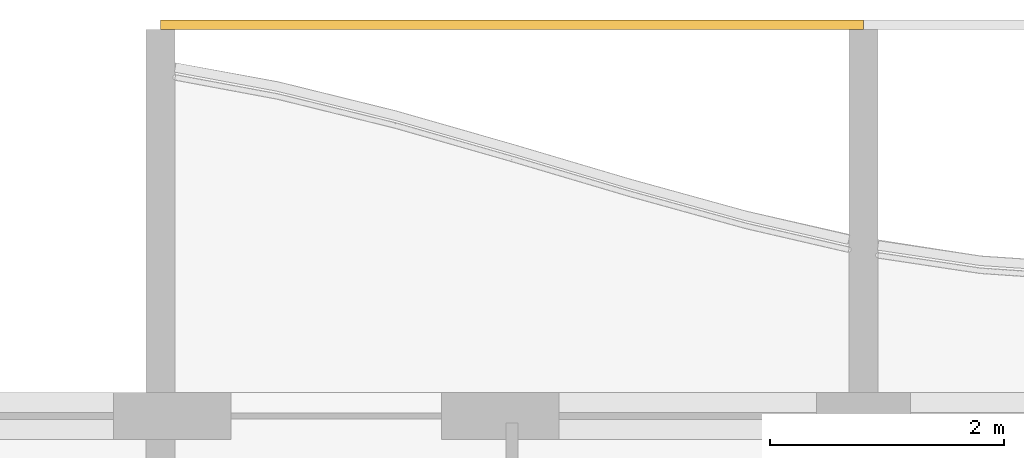
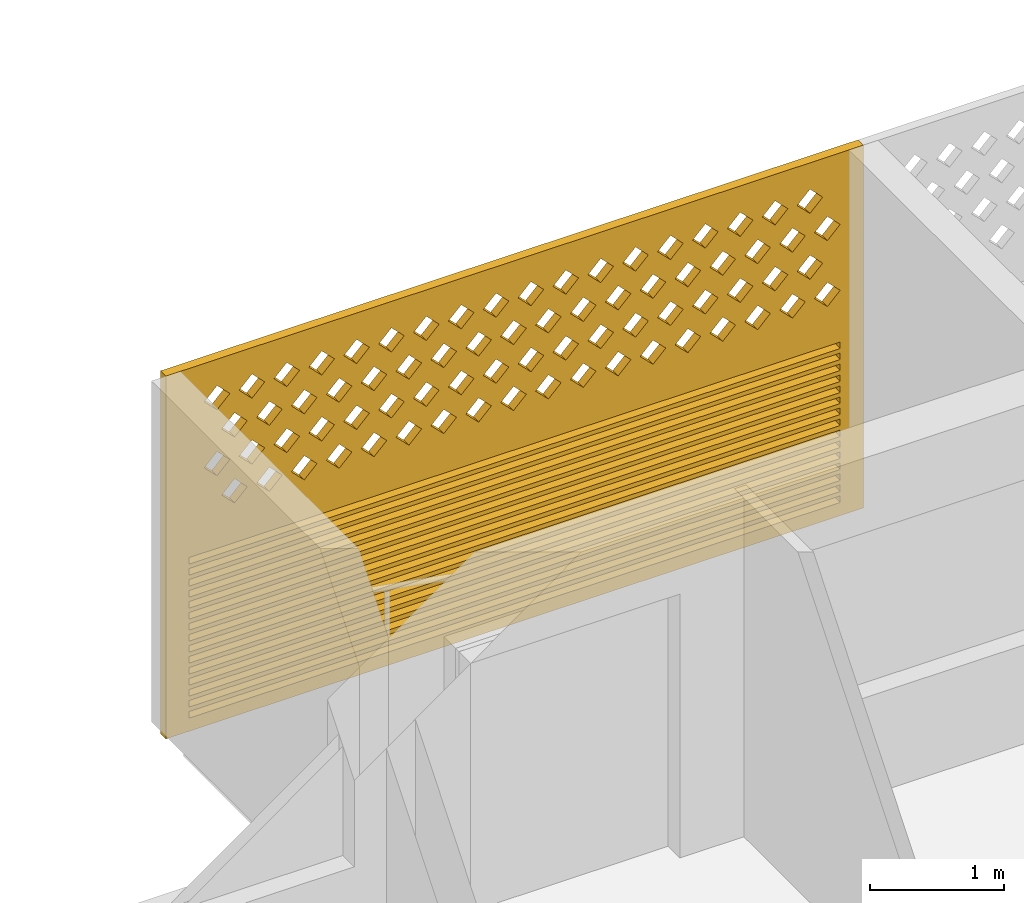
# One storey, part 24 of 26: 1 covering.
"""IFC4 building model written with IfcOpenShell, lengths in metres."""

import ifcopenshell
import ifcopenshell.guid

model = None  # the IFC model being written
_history = None  # IfcOwnerHistory: only IFC2X3 demands one
_inside = {}  # id of a spatial element -> (the spatial element, [elements in it])
_under = {}  # id of a project, library or spatial element -> (it, [spatial elements below it])
_declared = {}  # id of a project -> (the project, [libraries it declares])
_typed = {}  # id of a type object -> (the type object, [elements of that type])
_made_of = {}  # id of a material, layer set ... -> (it, [elements and type objects made of it])


def new_model(schema):
    """Start an empty IFC model of exactly this schema.

    Asked for "IFC4X3", IfcOpenShell would pick the latest addendum, in which some entities
    have other attributes; the version numbers below select the first issue.
    IFC2X3 requires an IfcOwnerHistory on every rooted entity: one is made here for all.
    """
    global model, _history
    if schema == "IFC4X3":
        model = ifcopenshell.file(schema_version=(4, 3, 0, 0))
    else:
        model = ifcopenshell.file(schema=schema)
    _inside.clear()
    _under.clear()
    _declared.clear()
    _typed.clear()
    _made_of.clear()
    _history = None
    if model.schema == "IFC2X3":
        org = make("IfcOrganization", Name="unknown")
        user = make(
            "IfcPersonAndOrganization",
            ThePerson=make("IfcPerson", FamilyName="unknown"),
            TheOrganization=org,
        )
        app = make(
            "IfcApplication",
            ApplicationDeveloper=org,
            Version="unknown",
            ApplicationFullName="unknown",
            ApplicationIdentifier="unknown",
        )
        _history = make(
            "IfcOwnerHistory",
            OwningUser=user,
            OwningApplication=app,
            ChangeAction="ADDED",
            CreationDate=0,
        )
    return model


def make(cls, **values):
    """One entity of the class cls with the attributes given. An attribute that is None is left unset."""
    return model.create_entity(
        cls, **{name: value for name, value in values.items() if value is not None}
    )


def rooted(cls, **values):
    """An entity with a GlobalId (a new one), such as an element, a storey or a relation."""
    return make(cls, GlobalId=ifcopenshell.guid.new(), OwnerHistory=_history, **values)


def si_unit(unit_type, name, prefix=None):
    """IfcSIUnit, for example si_unit("LENGTHUNIT", "METRE", prefix="MILLI")."""
    return make("IfcSIUnit", UnitType=unit_type, Prefix=prefix, Name=name)


def assignment(units):
    """IfcUnitAssignment: the units of a project."""
    return None if units is None else make("IfcUnitAssignment", Units=units)


def point(xyz):
    """IfcCartesianPoint."""
    return None if xyz is None else make("IfcCartesianPoint", Coordinates=xyz)


def direction(xyz):
    """IfcDirection."""
    return None if xyz is None else make("IfcDirection", DirectionRatios=xyz)


def frame(location, z_axis=None, x_axis=None):
    """IfcAxis2Placement3D, a coordinate frame: its origin and axes. An axis left out is left unset."""
    return make(
        "IfcAxis2Placement3D",
        Location=point(location),
        Axis=direction(z_axis),
        RefDirection=direction(x_axis),
    )


def origin():
    """The frame at (0, 0, 0) with its axes left unset."""
    return frame((0.0, 0.0, 0.0))


def place(relative_to, where):
    """IfcLocalPlacement: puts the frame where relative to a parent placement (None: the world)."""
    return make(
        "IfcLocalPlacement", PlacementRelTo=relative_to, RelativePlacement=where
    )


def context(
    kind, dimensions, precision=None, world=None, true_north=None, identifier=None
):
    """IfcGeometricRepresentationContext, for example the 3D "Model" context."""
    return make(
        "IfcGeometricRepresentationContext",
        ContextIdentifier=identifier,
        ContextType=kind,
        CoordinateSpaceDimension=dimensions,
        Precision=precision,
        WorldCoordinateSystem=world,
        TrueNorth=true_north,
    )


def subcontext(parent, identifier, kind, view, scale=None):
    """IfcGeometricRepresentationSubContext, for example "Body" below "Model"."""
    return make(
        "IfcGeometricRepresentationSubContext",
        ContextIdentifier=identifier,
        ContextType=kind,
        ParentContext=parent,
        TargetScale=scale,
        TargetView=view,
    )


def project(units=None, contexts=None):
    """IfcProject with its units and contexts."""
    return rooted(
        "IfcProject",
        Name="project",
        RepresentationContexts=contexts,
        UnitsInContext=assignment(units),
    )


def spatial(cls, under=None, at=None, **own):
    """A site, building, storey or space (cls), placed at a placement, below another one or the project."""
    s = rooted(cls, ObjectPlacement=at, **own)
    if under is not None:
        _under.setdefault(under.id(), (under, []))[1].append(s)
    return s


def polyline(points):
    """IfcPolyline through the points."""
    return make("IfcPolyline", Points=[point(p) for p in points])


def outline(outer, holes=None, kind="AREA"):
    """IfcArbitraryClosedProfileDef: a profile drawn as a closed curve; with holes, ...WithVoids."""
    if holes is None:
        return make("IfcArbitraryClosedProfileDef", ProfileType=kind, OuterCurve=outer)
    return make(
        "IfcArbitraryProfileDefWithVoids",
        ProfileType=kind,
        OuterCurve=outer,
        InnerCurves=holes,
    )


def extrude(swept, where, along, depth):
    """IfcExtrudedAreaSolid: the profile swept, set in the frame where, extruded along a direction by depth."""
    return make(
        "IfcExtrudedAreaSolid",
        SweptArea=swept,
        Position=where,
        ExtrudedDirection=direction(along),
        Depth=depth,
    )


def shape(context_of_items, identifier, shape_type, items):
    """IfcShapeRepresentation: the items that make up one representation, for example the "Body"."""
    return make(
        "IfcShapeRepresentation",
        ContextOfItems=context_of_items,
        RepresentationIdentifier=identifier,
        RepresentationType=shape_type,
        Items=items,
    )


def source(mapping_origin, context_of_items, identifier, shape_type, items):
    """IfcRepresentationMap: a shape defined once, which mapped items show again and again."""
    return make(
        "IfcRepresentationMap",
        MappingOrigin=mapping_origin,
        MappedRepresentation=shape(context_of_items, identifier, shape_type, items),
    )


def transform(
    local_origin,
    x_axis=None,
    y_axis=None,
    z_axis=None,
    scale=None,
    scale2=None,
    scale3=None,
    uniform=True,
):
    """IfcCartesianTransformationOperator3D, or its non-uniform kind. x_axis, y_axis, z_axis: its Axis1, 2, 3."""
    if uniform:
        return make(
            "IfcCartesianTransformationOperator3D",
            Axis1=direction(x_axis),
            Axis2=direction(y_axis),
            LocalOrigin=point(local_origin),
            Scale=scale,
            Axis3=direction(z_axis),
        )
    return make(
        "IfcCartesianTransformationOperator3DnonUniform",
        Axis1=direction(x_axis),
        Axis2=direction(y_axis),
        LocalOrigin=point(local_origin),
        Scale=scale,
        Axis3=direction(z_axis),
        Scale2=scale2,
        Scale3=scale3,
    )


def mapped(mapping_source, mapping_target):
    """IfcMappedItem: shows the shape of a source again, moved by a transform."""
    return make(
        "IfcMappedItem", MappingSource=mapping_source, MappingTarget=mapping_target
    )


def material(Name=None, Category=None):
    """IfcMaterial."""
    return make("IfcMaterial", Name=Name, Category=Category)


def material_profile(
    of_material, cross_section, Name=None, Category=None, Priority=None
):
    """IfcMaterialProfile: a cross section and its material."""
    return make(
        "IfcMaterialProfile",
        Name=Name,
        Material=of_material,
        Profile=cross_section,
        Priority=Priority,
        Category=Category,
    )


def profile_set(profiles, Name=None, composite=None):
    """IfcMaterialProfileSet."""
    return make(
        "IfcMaterialProfileSet",
        Name=Name,
        MaterialProfiles=profiles,
        CompositeProfile=composite,
    )


def made_of(thing, what):
    """Note that an element or type object is made of a material, layer set ...; save() writes the relation."""
    if what is not None:
        _made_of.setdefault(what.id(), (what, []))[1].append(thing)
    return thing


def type_object(cls, material=None, **own):
    """A type object (cls), such as IfcWallType, which elements share."""
    return made_of(rooted(cls, **own), material)


def element(
    cls,
    number,
    at=None,
    inside=None,
    cuts=None,
    type_object=None,
    material=None,
    context=None,
    identifier="Body",
    shape_type=None,
    held_by="IfcProductDefinitionShape",
    body=None,
    shapes=None,
    **own,
):
    """One element of the class cls, such as IfcWall. Its Tag is "e" and its number.

    at: its placement. inside: the storey or other place that contains it. cuts: it is an
    opening in that element (IfcRelVoidsElement). A single representation is given by context,
    identifier, shape_type and body (its items); several are given by shapes. held_by: the class
    of the entity that holds the representations. save() writes the other relations.
    """
    e = rooted(cls, Tag="e%d" % number, ObjectPlacement=at, **own)
    if body is not None:
        shapes = [shape(context, identifier, shape_type, body)]
    if shapes is not None:
        e.Representation = make(held_by, Representations=shapes)
    if inside is not None:
        _inside.setdefault(inside.id(), (inside, []))[1].append(e)
    if cuts is not None:
        rooted(
            "IfcRelVoidsElement", RelatingBuildingElement=cuts, RelatedOpeningElement=e
        )
    if type_object is not None:
        _typed.setdefault(type_object.id(), (type_object, []))[1].append(e)
    return made_of(e, material)


def aggregate(whole, parts):
    """IfcRelAggregates: a whole, such as a stair, and the parts it consists of."""
    return rooted("IfcRelAggregates", RelatingObject=whole, RelatedObjects=parts)


def save(model, path):
    """Write the relations noted so far, then the file.

    IfcRelAggregates (storeys below a building ...), IfcRelContainedInSpatialStructure (elements
    in a storey), IfcRelDefinesByType, IfcRelAssociatesMaterial and IfcRelDeclares: one each for
    every whole, place, type object, material and project.
    """
    for whole, parts in _under.values():
        aggregate(whole, parts)
    for where, things in _inside.values():
        rooted(
            "IfcRelContainedInSpatialStructure",
            RelatedElements=things,
            RelatingStructure=where,
        )
    for kind, things in _typed.values():
        rooted("IfcRelDefinesByType", RelatedObjects=things, RelatingType=kind)
    for what, things in _made_of.values():
        rooted("IfcRelAssociatesMaterial", RelatedObjects=things, RelatingMaterial=what)
    for by, libraries in _declared.values():
        rooted("IfcRelDeclares", RelatingContext=by, RelatedDefinitions=libraries)
    model.write(path)


model = new_model("IFC4")

# Units and contexts
model_context = context("Model", 3, precision=1e-05, world=origin(), true_north=direction((0.0, 1.0)))
body_context = subcontext(model_context, "Body", "Model", "MODEL_VIEW")
ifc_project = project(units=[si_unit("LENGTHUNIT", "METRE"), si_unit("AREAUNIT", "SQUARE_METRE"), si_unit("VOLUMEUNIT", "CUBIC_METRE"), si_unit("PLANEANGLEUNIT", "RADIAN"), si_unit("MASSUNIT", "GRAM", prefix="KILO")], contexts=[model_context])

# Site, building, storey
site_placement = place(None, origin())
site = spatial("IfcSite", under=ifc_project, at=site_placement, CompositionType="ELEMENT")
building_placement = place(site_placement, origin())
building = spatial("IfcBuilding", under=site, at=building_placement, Name="Poui Terraces", CompositionType="ELEMENT")
storey_placement = place(building_placement, frame((0.0, 0.0, 178.5)))
storey = spatial("IfcBuildingStorey", under=building, at=storey_placement, Name="L49", CompositionType="ELEMENT", Elevation=178.5)

# Covering
ifc_material = material(Name="Terracotta screen", Category="masonry")
ifc_material_profile = material_profile(ifc_material, outline(polyline([(-3.0, -1.64990234375), (3.0, -1.64990234375), (3.0, 1.64990234375), (-3.0, 1.64990234375), (-3.0, -1.64990234375)]), holes=[polyline([(-2.800048828125, 0.39990234375), (-2.68994140625, 0.2900390625), (-2.580078125, 0.39990234375), (-2.68994140625, 0.510009765625), (-2.800048828125, 0.39990234375)]), polyline([(-2.5, 0.39990234375), (-2.389892578125, 0.2900390625), (-2.280029296875, 0.39990234375), (-2.389892578125, 0.510009765625), (-2.5, 0.39990234375)]), polyline([(-2.199951171875, 0.39990234375), (-2.090087890625, 0.2900390625), (-1.97998046875, 0.39990234375), (-2.090087890625, 0.510009765625), (-2.199951171875, 0.39990234375)]), polyline([(-1.89990234375, 0.39990234375), (-1.7900390625, 0.2900390625), (-1.679931640625, 0.39990234375), (-1.7900390625, 0.510009765625), (-1.89990234375, 0.39990234375)]), polyline([(-1.60009765625, 0.39990234375), (-1.489990234375, 0.2900390625), (-1.3798828125, 0.39990234375), (-1.489990234375, 0.510009765625), (-1.60009765625, 0.39990234375)]), polyline([(-1.300048828125, 0.39990234375), (-1.18994140625, 0.2900390625), (-1.080078125, 0.39990234375), (-1.18994140625, 0.510009765625), (-1.300048828125, 0.39990234375)]), polyline([(-1.0, 0.39990234375), (-0.889892578125, 0.2900390625), (-0.780029296875, 0.39990234375), (-0.889892578125, 0.510009765625), (-1.0, 0.39990234375)]), polyline([(-0.699951171875, 0.39990234375), (-0.590087890625, 0.2900390625), (-0.47998046875, 0.39990234375), (-0.590087890625, 0.510009765625), (-0.699951171875, 0.39990234375)]), polyline([(-0.39990234375, 0.39990234375), (-0.2900390625, 0.2900390625), (-0.179931640625, 0.39990234375), (-0.2900390625, 0.510009765625), (-0.39990234375, 0.39990234375)]), polyline([(-0.10009765625, 0.39990234375), (0.010009765625, 0.2900390625), (0.1201171875, 0.39990234375), (0.010009765625, 0.510009765625), (-0.10009765625, 0.39990234375)]), polyline([(0.199951171875, 0.39990234375), (0.31005859375, 0.2900390625), (0.419921875, 0.39990234375), (0.31005859375, 0.510009765625), (0.199951171875, 0.39990234375)]), polyline([(0.5, 0.39990234375), (0.610107421875, 0.2900390625), (0.719970703125, 0.39990234375), (0.610107421875, 0.510009765625), (0.5, 0.39990234375)]), polyline([(0.800048828125, 0.39990234375), (0.909912109375, 0.2900390625), (1.02001953125, 0.39990234375), (0.909912109375, 0.510009765625), (0.800048828125, 0.39990234375)]), polyline([(1.10009765625, 0.39990234375), (1.2099609375, 0.2900390625), (1.320068359375, 0.39990234375), (1.2099609375, 0.510009765625), (1.10009765625, 0.39990234375)]), polyline([(1.39990234375, 0.39990234375), (1.510009765625, 0.2900390625), (1.6201171875, 0.39990234375), (1.510009765625, 0.510009765625), (1.39990234375, 0.39990234375)]), polyline([(1.699951171875, 0.39990234375), (1.81005859375, 0.2900390625), (1.919921875, 0.39990234375), (1.81005859375, 0.510009765625), (1.699951171875, 0.39990234375)]), polyline([(2.0, 0.39990234375), (2.110107421875, 0.2900390625), (2.219970703125, 0.39990234375), (2.110107421875, 0.510009765625), (2.0, 0.39990234375)]), polyline([(2.300048828125, 0.39990234375), (2.409912109375, 0.2900390625), (2.52001953125, 0.39990234375), (2.409912109375, 0.510009765625), (2.300048828125, 0.39990234375)]), polyline([(-2.64990234375, 0.699951171875), (-2.5400390625, 0.590087890625), (-2.429931640625, 0.699951171875), (-2.5400390625, 0.81005859375), (-2.64990234375, 0.699951171875)]), polyline([(-2.35009765625, 0.699951171875), (-2.239990234375, 0.590087890625), (-2.1298828125, 0.699951171875), (-2.239990234375, 0.81005859375), (-2.35009765625, 0.699951171875)]), polyline([(-2.050048828125, 0.699951171875), (-1.93994140625, 0.590087890625), (-1.830078125, 0.699951171875), (-1.93994140625, 0.81005859375), (-2.050048828125, 0.699951171875)]), polyline([(-1.75, 0.699951171875), (-1.639892578125, 0.590087890625), (-1.530029296875, 0.699951171875), (-1.639892578125, 0.81005859375), (-1.75, 0.699951171875)]), polyline([(-1.449951171875, 0.699951171875), (-1.340087890625, 0.590087890625), (-1.22998046875, 0.699951171875), (-1.340087890625, 0.81005859375), (-1.449951171875, 0.699951171875)]), polyline([(-1.14990234375, 0.699951171875), (-1.0400390625, 0.590087890625), (-0.929931640625, 0.699951171875), (-1.0400390625, 0.81005859375), (-1.14990234375, 0.699951171875)]), polyline([(-0.85009765625, 0.699951171875), (-0.739990234375, 0.590087890625), (-0.6298828125, 0.699951171875), (-0.739990234375, 0.81005859375), (-0.85009765625, 0.699951171875)]), polyline([(-0.550048828125, 0.699951171875), (-0.43994140625, 0.590087890625), (-0.330078125, 0.699951171875), (-0.43994140625, 0.81005859375), (-0.550048828125, 0.699951171875)]), polyline([(-0.25, 0.699951171875), (-0.139892578125, 0.590087890625), (-0.030029296875, 0.699951171875), (-0.139892578125, 0.81005859375), (-0.25, 0.699951171875)]), polyline([(0.050048828125, 0.699951171875), (0.159912109375, 0.590087890625), (0.27001953125, 0.699951171875), (0.159912109375, 0.81005859375), (0.050048828125, 0.699951171875)]), polyline([(0.35009765625, 0.699951171875), (0.4599609375, 0.590087890625), (0.570068359375, 0.699951171875), (0.4599609375, 0.81005859375), (0.35009765625, 0.699951171875)]), polyline([(0.64990234375, 0.699951171875), (0.760009765625, 0.590087890625), (0.8701171875, 0.699951171875), (0.760009765625, 0.81005859375), (0.64990234375, 0.699951171875)]), polyline([(0.949951171875, 0.699951171875), (1.06005859375, 0.590087890625), (1.169921875, 0.699951171875), (1.06005859375, 0.81005859375), (0.949951171875, 0.699951171875)]), polyline([(1.25, 0.699951171875), (1.360107421875, 0.590087890625), (1.469970703125, 0.699951171875), (1.360107421875, 0.81005859375), (1.25, 0.699951171875)]), polyline([(1.550048828125, 0.699951171875), (1.659912109375, 0.590087890625), (1.77001953125, 0.699951171875), (1.659912109375, 0.81005859375), (1.550048828125, 0.699951171875)]), polyline([(1.85009765625, 0.699951171875), (1.9599609375, 0.590087890625), (2.070068359375, 0.699951171875), (1.9599609375, 0.81005859375), (1.85009765625, 0.699951171875)]), polyline([(2.14990234375, 0.699951171875), (2.260009765625, 0.590087890625), (2.3701171875, 0.699951171875), (2.260009765625, 0.81005859375), (2.14990234375, 0.699951171875)]), polyline([(2.449951171875, 0.699951171875), (2.56005859375, 0.590087890625), (2.669921875, 0.699951171875), (2.56005859375, 0.81005859375), (2.449951171875, 0.699951171875)]), polyline([(-2.800048828125, 1.0), (-2.68994140625, 0.889892578125), (-2.580078125, 1.0), (-2.68994140625, 1.110107421875), (-2.800048828125, 1.0)]), polyline([(-2.5, 1.0), (-2.389892578125, 0.889892578125), (-2.280029296875, 1.0), (-2.389892578125, 1.110107421875), (-2.5, 1.0)]), polyline([(-2.199951171875, 1.0), (-2.090087890625, 0.889892578125), (-1.97998046875, 1.0), (-2.090087890625, 1.110107421875), (-2.199951171875, 1.0)]), polyline([(-1.89990234375, 1.0), (-1.7900390625, 0.889892578125), (-1.679931640625, 1.0), (-1.7900390625, 1.110107421875), (-1.89990234375, 1.0)]), polyline([(-1.60009765625, 1.0), (-1.489990234375, 0.889892578125), (-1.3798828125, 1.0), (-1.489990234375, 1.110107421875), (-1.60009765625, 1.0)]), polyline([(-1.300048828125, 1.0), (-1.18994140625, 0.889892578125), (-1.080078125, 1.0), (-1.18994140625, 1.110107421875), (-1.300048828125, 1.0)]), polyline([(-1.0, 1.0), (-0.889892578125, 0.889892578125), (-0.780029296875, 1.0), (-0.889892578125, 1.110107421875), (-1.0, 1.0)]), polyline([(-0.699951171875, 1.0), (-0.590087890625, 0.889892578125), (-0.47998046875, 1.0), (-0.590087890625, 1.110107421875), (-0.699951171875, 1.0)]), polyline([(-0.39990234375, 1.0), (-0.2900390625, 0.889892578125), (-0.179931640625, 1.0), (-0.2900390625, 1.110107421875), (-0.39990234375, 1.0)]), polyline([(-0.10009765625, 1.0), (0.010009765625, 0.889892578125), (0.1201171875, 1.0), (0.010009765625, 1.110107421875), (-0.10009765625, 1.0)]), polyline([(0.199951171875, 1.0), (0.31005859375, 0.889892578125), (0.419921875, 1.0), (0.31005859375, 1.110107421875), (0.199951171875, 1.0)]), polyline([(0.5, 1.0), (0.610107421875, 0.889892578125), (0.719970703125, 1.0), (0.610107421875, 1.110107421875), (0.5, 1.0)]), polyline([(0.800048828125, 1.0), (0.909912109375, 0.889892578125), (1.02001953125, 1.0), (0.909912109375, 1.110107421875), (0.800048828125, 1.0)]), polyline([(1.10009765625, 1.0), (1.2099609375, 0.889892578125), (1.320068359375, 1.0), (1.2099609375, 1.110107421875), (1.10009765625, 1.0)]), polyline([(1.39990234375, 1.0), (1.510009765625, 0.889892578125), (1.6201171875, 1.0), (1.510009765625, 1.110107421875), (1.39990234375, 1.0)]), polyline([(1.699951171875, 1.0), (1.81005859375, 0.889892578125), (1.919921875, 1.0), (1.81005859375, 1.110107421875), (1.699951171875, 1.0)]), polyline([(2.0, 1.0), (2.110107421875, 0.889892578125), (2.219970703125, 1.0), (2.110107421875, 1.110107421875), (2.0, 1.0)]), polyline([(2.300048828125, 1.0), (2.409912109375, 0.889892578125), (2.52001953125, 1.0), (2.409912109375, 1.110107421875), (2.300048828125, 1.0)]), polyline([(-2.64990234375, 1.300048828125), (-2.5400390625, 1.18994140625), (-2.429931640625, 1.300048828125), (-2.5400390625, 1.409912109375), (-2.64990234375, 1.300048828125)]), polyline([(-2.35009765625, 1.300048828125), (-2.239990234375, 1.18994140625), (-2.1298828125, 1.300048828125), (-2.239990234375, 1.409912109375), (-2.35009765625, 1.300048828125)]), polyline([(-2.050048828125, 1.300048828125), (-1.93994140625, 1.18994140625), (-1.830078125, 1.300048828125), (-1.93994140625, 1.409912109375), (-2.050048828125, 1.300048828125)]), polyline([(-1.75, 1.300048828125), (-1.639892578125, 1.18994140625), (-1.530029296875, 1.300048828125), (-1.639892578125, 1.409912109375), (-1.75, 1.300048828125)]), polyline([(-1.449951171875, 1.300048828125), (-1.340087890625, 1.18994140625), (-1.22998046875, 1.300048828125), (-1.340087890625, 1.409912109375), (-1.449951171875, 1.300048828125)]), polyline([(-1.14990234375, 1.300048828125), (-1.0400390625, 1.18994140625), (-0.929931640625, 1.300048828125), (-1.0400390625, 1.409912109375), (-1.14990234375, 1.300048828125)]), polyline([(-0.85009765625, 1.300048828125), (-0.739990234375, 1.18994140625), (-0.6298828125, 1.300048828125), (-0.739990234375, 1.409912109375), (-0.85009765625, 1.300048828125)]), polyline([(-0.550048828125, 1.300048828125), (-0.43994140625, 1.18994140625), (-0.330078125, 1.300048828125), (-0.43994140625, 1.409912109375), (-0.550048828125, 1.300048828125)]), polyline([(-0.25, 1.300048828125), (-0.139892578125, 1.18994140625), (-0.030029296875, 1.300048828125), (-0.139892578125, 1.409912109375), (-0.25, 1.300048828125)]), polyline([(0.050048828125, 1.300048828125), (0.159912109375, 1.18994140625), (0.27001953125, 1.300048828125), (0.159912109375, 1.409912109375), (0.050048828125, 1.300048828125)]), polyline([(0.35009765625, 1.300048828125), (0.4599609375, 1.18994140625), (0.570068359375, 1.300048828125), (0.4599609375, 1.409912109375), (0.35009765625, 1.300048828125)]), polyline([(0.64990234375, 1.300048828125), (0.760009765625, 1.18994140625), (0.8701171875, 1.300048828125), (0.760009765625, 1.409912109375), (0.64990234375, 1.300048828125)]), polyline([(0.949951171875, 1.300048828125), (1.06005859375, 1.18994140625), (1.169921875, 1.300048828125), (1.06005859375, 1.409912109375), (0.949951171875, 1.300048828125)]), polyline([(1.25, 1.300048828125), (1.360107421875, 1.18994140625), (1.469970703125, 1.300048828125), (1.360107421875, 1.409912109375), (1.25, 1.300048828125)]), polyline([(1.550048828125, 1.300048828125), (1.659912109375, 1.18994140625), (1.77001953125, 1.300048828125), (1.659912109375, 1.409912109375), (1.550048828125, 1.300048828125)]), polyline([(1.85009765625, 1.300048828125), (1.9599609375, 1.18994140625), (2.070068359375, 1.300048828125), (1.9599609375, 1.409912109375), (1.85009765625, 1.300048828125)]), polyline([(2.14990234375, 1.300048828125), (2.260009765625, 1.18994140625), (2.3701171875, 1.300048828125), (2.260009765625, 1.409912109375), (2.14990234375, 1.300048828125)]), polyline([(2.449951171875, 1.300048828125), (2.56005859375, 1.18994140625), (2.669921875, 1.300048828125), (2.56005859375, 1.409912109375), (2.449951171875, 1.300048828125)]), polyline([(-2.800048828125, -1.530029296875), (2.800048828125, -1.530029296875), (2.800048828125, -1.469970703125), (-2.800048828125, -1.469970703125), (-2.800048828125, -1.530029296875)]), polyline([(-2.800048828125, -1.429931640625), (2.800048828125, -1.429931640625), (2.800048828125, -1.3701171875), (-2.800048828125, -1.3701171875), (-2.800048828125, -1.429931640625)]), polyline([(-2.800048828125, -1.330078125), (2.800048828125, -1.330078125), (2.800048828125, -1.27001953125), (-2.800048828125, -1.27001953125), (-2.800048828125, -1.330078125)]), polyline([(-2.800048828125, -1.22998046875), (2.800048828125, -1.22998046875), (2.800048828125, -1.169921875), (-2.800048828125, -1.169921875), (-2.800048828125, -1.22998046875)]), polyline([(-2.800048828125, -1.1298828125), (2.800048828125, -1.1298828125), (2.800048828125, -1.070068359375), (-2.800048828125, -1.070068359375), (-2.800048828125, -1.1298828125)]), polyline([(-2.800048828125, -1.030029296875), (2.800048828125, -1.030029296875), (2.800048828125, -0.969970703125), (-2.800048828125, -0.969970703125), (-2.800048828125, -1.030029296875)]), polyline([(-2.800048828125, -0.929931640625), (2.800048828125, -0.929931640625), (2.800048828125, -0.8701171875), (-2.800048828125, -0.8701171875), (-2.800048828125, -0.929931640625)]), polyline([(-2.800048828125, -0.830078125), (2.800048828125, -0.830078125), (2.800048828125, -0.77001953125), (-2.800048828125, -0.77001953125), (-2.800048828125, -0.830078125)]), polyline([(-2.800048828125, -0.72998046875), (2.800048828125, -0.72998046875), (2.800048828125, -0.669921875), (-2.800048828125, -0.669921875), (-2.800048828125, -0.72998046875)]), polyline([(-2.800048828125, -0.6298828125), (2.800048828125, -0.6298828125), (2.800048828125, -0.570068359375), (-2.800048828125, -0.570068359375), (-2.800048828125, -0.6298828125)]), polyline([(-2.800048828125, -0.530029296875), (2.800048828125, -0.530029296875), (2.800048828125, -0.469970703125), (-2.800048828125, -0.469970703125), (-2.800048828125, -0.530029296875)]), polyline([(-2.800048828125, -0.429931640625), (2.800048828125, -0.429931640625), (2.800048828125, -0.3701171875), (-2.800048828125, -0.3701171875), (-2.800048828125, -0.429931640625)]), polyline([(-2.800048828125, -0.330078125), (2.800048828125, -0.330078125), (2.800048828125, -0.27001953125), (-2.800048828125, -0.27001953125), (-2.800048828125, -0.330078125)]), polyline([(-2.800048828125, -0.22998046875), (2.800048828125, -0.22998046875), (2.800048828125, -0.169921875), (-2.800048828125, -0.169921875), (-2.800048828125, -0.22998046875)]), polyline([(-2.800048828125, -0.1298828125), (2.800048828125, -0.1298828125), (2.800048828125, -0.070068359375), (-2.800048828125, -0.070068359375), (-2.800048828125, -0.1298828125)])]), Name="TERRACOTTA SCREEN AND JALOUSIE LOUVRE 6000X3300")
ifc_profile_set = profile_set([ifc_material_profile], Name="Terracotta screen")
covering_type = type_object("IfcCoveringType", Name="TERRACOTTA SCREEN AND JALOUSIE LOUVRE 6000X3300", PredefinedType="CLADDING", material=ifc_profile_set)
shared_shape = source(origin(), body_context, "Body", "SweptSolid", [
    extrude(outline(polyline([(-3.0, -1.64990234375), (3.0, -1.64990234375), (3.0, 1.64990234375), (-3.0, 1.64990234375), (-3.0, -1.64990234375)]), holes=[polyline([(-2.800048828125, 0.39990234375), (-2.68994140625, 0.2900390625), (-2.580078125, 0.39990234375), (-2.68994140625, 0.510009765625), (-2.800048828125, 0.39990234375)]), polyline([(-2.5, 0.39990234375), (-2.389892578125, 0.2900390625), (-2.280029296875, 0.39990234375), (-2.389892578125, 0.510009765625), (-2.5, 0.39990234375)]), polyline([(-2.199951171875, 0.39990234375), (-2.090087890625, 0.2900390625), (-1.97998046875, 0.39990234375), (-2.090087890625, 0.510009765625), (-2.199951171875, 0.39990234375)]), polyline([(-1.89990234375, 0.39990234375), (-1.7900390625, 0.2900390625), (-1.679931640625, 0.39990234375), (-1.7900390625, 0.510009765625), (-1.89990234375, 0.39990234375)]), polyline([(-1.60009765625, 0.39990234375), (-1.489990234375, 0.2900390625), (-1.3798828125, 0.39990234375), (-1.489990234375, 0.510009765625), (-1.60009765625, 0.39990234375)]), polyline([(-1.300048828125, 0.39990234375), (-1.18994140625, 0.2900390625), (-1.080078125, 0.39990234375), (-1.18994140625, 0.510009765625), (-1.300048828125, 0.39990234375)]), polyline([(-1.0, 0.39990234375), (-0.889892578125, 0.2900390625), (-0.780029296875, 0.39990234375), (-0.889892578125, 0.510009765625), (-1.0, 0.39990234375)]), polyline([(-0.699951171875, 0.39990234375), (-0.590087890625, 0.2900390625), (-0.47998046875, 0.39990234375), (-0.590087890625, 0.510009765625), (-0.699951171875, 0.39990234375)]), polyline([(-0.39990234375, 0.39990234375), (-0.2900390625, 0.2900390625), (-0.179931640625, 0.39990234375), (-0.2900390625, 0.510009765625), (-0.39990234375, 0.39990234375)]), polyline([(-0.10009765625, 0.39990234375), (0.010009765625, 0.2900390625), (0.1201171875, 0.39990234375), (0.010009765625, 0.510009765625), (-0.10009765625, 0.39990234375)]), polyline([(0.199951171875, 0.39990234375), (0.31005859375, 0.2900390625), (0.419921875, 0.39990234375), (0.31005859375, 0.510009765625), (0.199951171875, 0.39990234375)]), polyline([(0.5, 0.39990234375), (0.610107421875, 0.2900390625), (0.719970703125, 0.39990234375), (0.610107421875, 0.510009765625), (0.5, 0.39990234375)]), polyline([(0.800048828125, 0.39990234375), (0.909912109375, 0.2900390625), (1.02001953125, 0.39990234375), (0.909912109375, 0.510009765625), (0.800048828125, 0.39990234375)]), polyline([(1.10009765625, 0.39990234375), (1.2099609375, 0.2900390625), (1.320068359375, 0.39990234375), (1.2099609375, 0.510009765625), (1.10009765625, 0.39990234375)]), polyline([(1.39990234375, 0.39990234375), (1.510009765625, 0.2900390625), (1.6201171875, 0.39990234375), (1.510009765625, 0.510009765625), (1.39990234375, 0.39990234375)]), polyline([(1.699951171875, 0.39990234375), (1.81005859375, 0.2900390625), (1.919921875, 0.39990234375), (1.81005859375, 0.510009765625), (1.699951171875, 0.39990234375)]), polyline([(2.0, 0.39990234375), (2.110107421875, 0.2900390625), (2.219970703125, 0.39990234375), (2.110107421875, 0.510009765625), (2.0, 0.39990234375)]), polyline([(2.300048828125, 0.39990234375), (2.409912109375, 0.2900390625), (2.52001953125, 0.39990234375), (2.409912109375, 0.510009765625), (2.300048828125, 0.39990234375)]), polyline([(-2.64990234375, 0.699951171875), (-2.5400390625, 0.590087890625), (-2.429931640625, 0.699951171875), (-2.5400390625, 0.81005859375), (-2.64990234375, 0.699951171875)]), polyline([(-2.35009765625, 0.699951171875), (-2.239990234375, 0.590087890625), (-2.1298828125, 0.699951171875), (-2.239990234375, 0.81005859375), (-2.35009765625, 0.699951171875)]), polyline([(-2.050048828125, 0.699951171875), (-1.93994140625, 0.590087890625), (-1.830078125, 0.699951171875), (-1.93994140625, 0.81005859375), (-2.050048828125, 0.699951171875)]), polyline([(-1.75, 0.699951171875), (-1.639892578125, 0.590087890625), (-1.530029296875, 0.699951171875), (-1.639892578125, 0.81005859375), (-1.75, 0.699951171875)]), polyline([(-1.449951171875, 0.699951171875), (-1.340087890625, 0.590087890625), (-1.22998046875, 0.699951171875), (-1.340087890625, 0.81005859375), (-1.449951171875, 0.699951171875)]), polyline([(-1.14990234375, 0.699951171875), (-1.0400390625, 0.590087890625), (-0.929931640625, 0.699951171875), (-1.0400390625, 0.81005859375), (-1.14990234375, 0.699951171875)]), polyline([(-0.85009765625, 0.699951171875), (-0.739990234375, 0.590087890625), (-0.6298828125, 0.699951171875), (-0.739990234375, 0.81005859375), (-0.85009765625, 0.699951171875)]), polyline([(-0.550048828125, 0.699951171875), (-0.43994140625, 0.590087890625), (-0.330078125, 0.699951171875), (-0.43994140625, 0.81005859375), (-0.550048828125, 0.699951171875)]), polyline([(-0.25, 0.699951171875), (-0.139892578125, 0.590087890625), (-0.030029296875, 0.699951171875), (-0.139892578125, 0.81005859375), (-0.25, 0.699951171875)]), polyline([(0.050048828125, 0.699951171875), (0.159912109375, 0.590087890625), (0.27001953125, 0.699951171875), (0.159912109375, 0.81005859375), (0.050048828125, 0.699951171875)]), polyline([(0.35009765625, 0.699951171875), (0.4599609375, 0.590087890625), (0.570068359375, 0.699951171875), (0.4599609375, 0.81005859375), (0.35009765625, 0.699951171875)]), polyline([(0.64990234375, 0.699951171875), (0.760009765625, 0.590087890625), (0.8701171875, 0.699951171875), (0.760009765625, 0.81005859375), (0.64990234375, 0.699951171875)]), polyline([(0.949951171875, 0.699951171875), (1.06005859375, 0.590087890625), (1.169921875, 0.699951171875), (1.06005859375, 0.81005859375), (0.949951171875, 0.699951171875)]), polyline([(1.25, 0.699951171875), (1.360107421875, 0.590087890625), (1.469970703125, 0.699951171875), (1.360107421875, 0.81005859375), (1.25, 0.699951171875)]), polyline([(1.550048828125, 0.699951171875), (1.659912109375, 0.590087890625), (1.77001953125, 0.699951171875), (1.659912109375, 0.81005859375), (1.550048828125, 0.699951171875)]), polyline([(1.85009765625, 0.699951171875), (1.9599609375, 0.590087890625), (2.070068359375, 0.699951171875), (1.9599609375, 0.81005859375), (1.85009765625, 0.699951171875)]), polyline([(2.14990234375, 0.699951171875), (2.260009765625, 0.590087890625), (2.3701171875, 0.699951171875), (2.260009765625, 0.81005859375), (2.14990234375, 0.699951171875)]), polyline([(2.449951171875, 0.699951171875), (2.56005859375, 0.590087890625), (2.669921875, 0.699951171875), (2.56005859375, 0.81005859375), (2.449951171875, 0.699951171875)]), polyline([(-2.800048828125, 1.0), (-2.68994140625, 0.889892578125), (-2.580078125, 1.0), (-2.68994140625, 1.110107421875), (-2.800048828125, 1.0)]), polyline([(-2.5, 1.0), (-2.389892578125, 0.889892578125), (-2.280029296875, 1.0), (-2.389892578125, 1.110107421875), (-2.5, 1.0)]), polyline([(-2.199951171875, 1.0), (-2.090087890625, 0.889892578125), (-1.97998046875, 1.0), (-2.090087890625, 1.110107421875), (-2.199951171875, 1.0)]), polyline([(-1.89990234375, 1.0), (-1.7900390625, 0.889892578125), (-1.679931640625, 1.0), (-1.7900390625, 1.110107421875), (-1.89990234375, 1.0)]), polyline([(-1.60009765625, 1.0), (-1.489990234375, 0.889892578125), (-1.3798828125, 1.0), (-1.489990234375, 1.110107421875), (-1.60009765625, 1.0)]), polyline([(-1.300048828125, 1.0), (-1.18994140625, 0.889892578125), (-1.080078125, 1.0), (-1.18994140625, 1.110107421875), (-1.300048828125, 1.0)]), polyline([(-1.0, 1.0), (-0.889892578125, 0.889892578125), (-0.780029296875, 1.0), (-0.889892578125, 1.110107421875), (-1.0, 1.0)]), polyline([(-0.699951171875, 1.0), (-0.590087890625, 0.889892578125), (-0.47998046875, 1.0), (-0.590087890625, 1.110107421875), (-0.699951171875, 1.0)]), polyline([(-0.39990234375, 1.0), (-0.2900390625, 0.889892578125), (-0.179931640625, 1.0), (-0.2900390625, 1.110107421875), (-0.39990234375, 1.0)]), polyline([(-0.10009765625, 1.0), (0.010009765625, 0.889892578125), (0.1201171875, 1.0), (0.010009765625, 1.110107421875), (-0.10009765625, 1.0)]), polyline([(0.199951171875, 1.0), (0.31005859375, 0.889892578125), (0.419921875, 1.0), (0.31005859375, 1.110107421875), (0.199951171875, 1.0)]), polyline([(0.5, 1.0), (0.610107421875, 0.889892578125), (0.719970703125, 1.0), (0.610107421875, 1.110107421875), (0.5, 1.0)]), polyline([(0.800048828125, 1.0), (0.909912109375, 0.889892578125), (1.02001953125, 1.0), (0.909912109375, 1.110107421875), (0.800048828125, 1.0)]), polyline([(1.10009765625, 1.0), (1.2099609375, 0.889892578125), (1.320068359375, 1.0), (1.2099609375, 1.110107421875), (1.10009765625, 1.0)]), polyline([(1.39990234375, 1.0), (1.510009765625, 0.889892578125), (1.6201171875, 1.0), (1.510009765625, 1.110107421875), (1.39990234375, 1.0)]), polyline([(1.699951171875, 1.0), (1.81005859375, 0.889892578125), (1.919921875, 1.0), (1.81005859375, 1.110107421875), (1.699951171875, 1.0)]), polyline([(2.0, 1.0), (2.110107421875, 0.889892578125), (2.219970703125, 1.0), (2.110107421875, 1.110107421875), (2.0, 1.0)]), polyline([(2.300048828125, 1.0), (2.409912109375, 0.889892578125), (2.52001953125, 1.0), (2.409912109375, 1.110107421875), (2.300048828125, 1.0)]), polyline([(-2.64990234375, 1.300048828125), (-2.5400390625, 1.18994140625), (-2.429931640625, 1.300048828125), (-2.5400390625, 1.409912109375), (-2.64990234375, 1.300048828125)]), polyline([(-2.35009765625, 1.300048828125), (-2.239990234375, 1.18994140625), (-2.1298828125, 1.300048828125), (-2.239990234375, 1.409912109375), (-2.35009765625, 1.300048828125)]), polyline([(-2.050048828125, 1.300048828125), (-1.93994140625, 1.18994140625), (-1.830078125, 1.300048828125), (-1.93994140625, 1.409912109375), (-2.050048828125, 1.300048828125)]), polyline([(-1.75, 1.300048828125), (-1.639892578125, 1.18994140625), (-1.530029296875, 1.300048828125), (-1.639892578125, 1.409912109375), (-1.75, 1.300048828125)]), polyline([(-1.449951171875, 1.300048828125), (-1.340087890625, 1.18994140625), (-1.22998046875, 1.300048828125), (-1.340087890625, 1.409912109375), (-1.449951171875, 1.300048828125)]), polyline([(-1.14990234375, 1.300048828125), (-1.0400390625, 1.18994140625), (-0.929931640625, 1.300048828125), (-1.0400390625, 1.409912109375), (-1.14990234375, 1.300048828125)]), polyline([(-0.85009765625, 1.300048828125), (-0.739990234375, 1.18994140625), (-0.6298828125, 1.300048828125), (-0.739990234375, 1.409912109375), (-0.85009765625, 1.300048828125)]), polyline([(-0.550048828125, 1.300048828125), (-0.43994140625, 1.18994140625), (-0.330078125, 1.300048828125), (-0.43994140625, 1.409912109375), (-0.550048828125, 1.300048828125)]), polyline([(-0.25, 1.300048828125), (-0.139892578125, 1.18994140625), (-0.030029296875, 1.300048828125), (-0.139892578125, 1.409912109375), (-0.25, 1.300048828125)]), polyline([(0.050048828125, 1.300048828125), (0.159912109375, 1.18994140625), (0.27001953125, 1.300048828125), (0.159912109375, 1.409912109375), (0.050048828125, 1.300048828125)]), polyline([(0.35009765625, 1.300048828125), (0.4599609375, 1.18994140625), (0.570068359375, 1.300048828125), (0.4599609375, 1.409912109375), (0.35009765625, 1.300048828125)]), polyline([(0.64990234375, 1.300048828125), (0.760009765625, 1.18994140625), (0.8701171875, 1.300048828125), (0.760009765625, 1.409912109375), (0.64990234375, 1.300048828125)]), polyline([(0.949951171875, 1.300048828125), (1.06005859375, 1.18994140625), (1.169921875, 1.300048828125), (1.06005859375, 1.409912109375), (0.949951171875, 1.300048828125)]), polyline([(1.25, 1.300048828125), (1.360107421875, 1.18994140625), (1.469970703125, 1.300048828125), (1.360107421875, 1.409912109375), (1.25, 1.300048828125)]), polyline([(1.550048828125, 1.300048828125), (1.659912109375, 1.18994140625), (1.77001953125, 1.300048828125), (1.659912109375, 1.409912109375), (1.550048828125, 1.300048828125)]), polyline([(1.85009765625, 1.300048828125), (1.9599609375, 1.18994140625), (2.070068359375, 1.300048828125), (1.9599609375, 1.409912109375), (1.85009765625, 1.300048828125)]), polyline([(2.14990234375, 1.300048828125), (2.260009765625, 1.18994140625), (2.3701171875, 1.300048828125), (2.260009765625, 1.409912109375), (2.14990234375, 1.300048828125)]), polyline([(2.449951171875, 1.300048828125), (2.56005859375, 1.18994140625), (2.669921875, 1.300048828125), (2.56005859375, 1.409912109375), (2.449951171875, 1.300048828125)]), polyline([(-2.800048828125, -1.530029296875), (2.800048828125, -1.530029296875), (2.800048828125, -1.469970703125), (-2.800048828125, -1.469970703125), (-2.800048828125, -1.530029296875)]), polyline([(-2.800048828125, -1.429931640625), (2.800048828125, -1.429931640625), (2.800048828125, -1.3701171875), (-2.800048828125, -1.3701171875), (-2.800048828125, -1.429931640625)]), polyline([(-2.800048828125, -1.330078125), (2.800048828125, -1.330078125), (2.800048828125, -1.27001953125), (-2.800048828125, -1.27001953125), (-2.800048828125, -1.330078125)]), polyline([(-2.800048828125, -1.22998046875), (2.800048828125, -1.22998046875), (2.800048828125, -1.169921875), (-2.800048828125, -1.169921875), (-2.800048828125, -1.22998046875)]), polyline([(-2.800048828125, -1.1298828125), (2.800048828125, -1.1298828125), (2.800048828125, -1.070068359375), (-2.800048828125, -1.070068359375), (-2.800048828125, -1.1298828125)]), polyline([(-2.800048828125, -1.030029296875), (2.800048828125, -1.030029296875), (2.800048828125, -0.969970703125), (-2.800048828125, -0.969970703125), (-2.800048828125, -1.030029296875)]), polyline([(-2.800048828125, -0.929931640625), (2.800048828125, -0.929931640625), (2.800048828125, -0.8701171875), (-2.800048828125, -0.8701171875), (-2.800048828125, -0.929931640625)]), polyline([(-2.800048828125, -0.830078125), (2.800048828125, -0.830078125), (2.800048828125, -0.77001953125), (-2.800048828125, -0.77001953125), (-2.800048828125, -0.830078125)]), polyline([(-2.800048828125, -0.72998046875), (2.800048828125, -0.72998046875), (2.800048828125, -0.669921875), (-2.800048828125, -0.669921875), (-2.800048828125, -0.72998046875)]), polyline([(-2.800048828125, -0.6298828125), (2.800048828125, -0.6298828125), (2.800048828125, -0.570068359375), (-2.800048828125, -0.570068359375), (-2.800048828125, -0.6298828125)]), polyline([(-2.800048828125, -0.530029296875), (2.800048828125, -0.530029296875), (2.800048828125, -0.469970703125), (-2.800048828125, -0.469970703125), (-2.800048828125, -0.530029296875)]), polyline([(-2.800048828125, -0.429931640625), (2.800048828125, -0.429931640625), (2.800048828125, -0.3701171875), (-2.800048828125, -0.3701171875), (-2.800048828125, -0.429931640625)]), polyline([(-2.800048828125, -0.330078125), (2.800048828125, -0.330078125), (2.800048828125, -0.27001953125), (-2.800048828125, -0.27001953125), (-2.800048828125, -0.330078125)]), polyline([(-2.800048828125, -0.22998046875), (2.800048828125, -0.22998046875), (2.800048828125, -0.169921875), (-2.800048828125, -0.169921875), (-2.800048828125, -0.22998046875)]), polyline([(-2.800048828125, -0.1298828125), (2.800048828125, -0.1298828125), (2.800048828125, -0.070068359375), (-2.800048828125, -0.070068359375), (-2.800048828125, -0.1298828125)])]), origin(), (0.0, 0.0, 1.0), 0.080078125),
])
covering_placement = place(storey_placement, frame((69.0, 44.5, 1.449951171875), z_axis=(0.0, 1.0, 0.0), x_axis=(-1.0, 0.0, 0.0)))
element("IfcCovering", 1, at=covering_placement, inside=storey, type_object=covering_type, Name="SOLAR SCREEN AND JALOUSIE LOUVRE", PredefinedType="CLADDING", context=body_context, shape_type="MappedRepresentation", body=[
    mapped(shared_shape, transform((0.0, 0.0, 0.0))),
])

save(model, "model.ifc")
